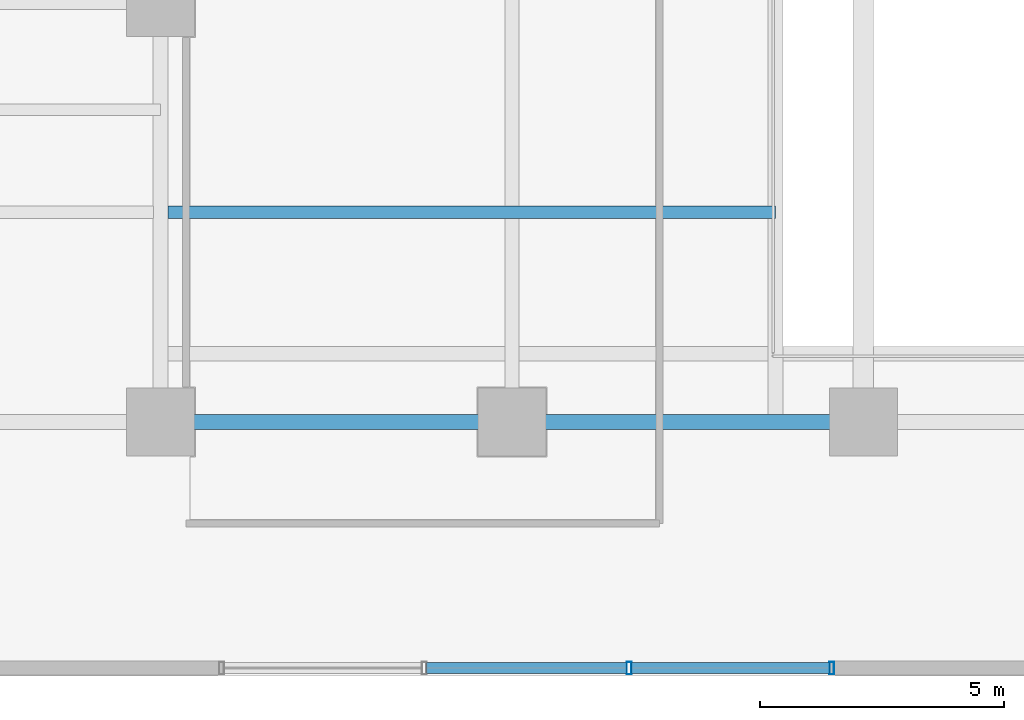
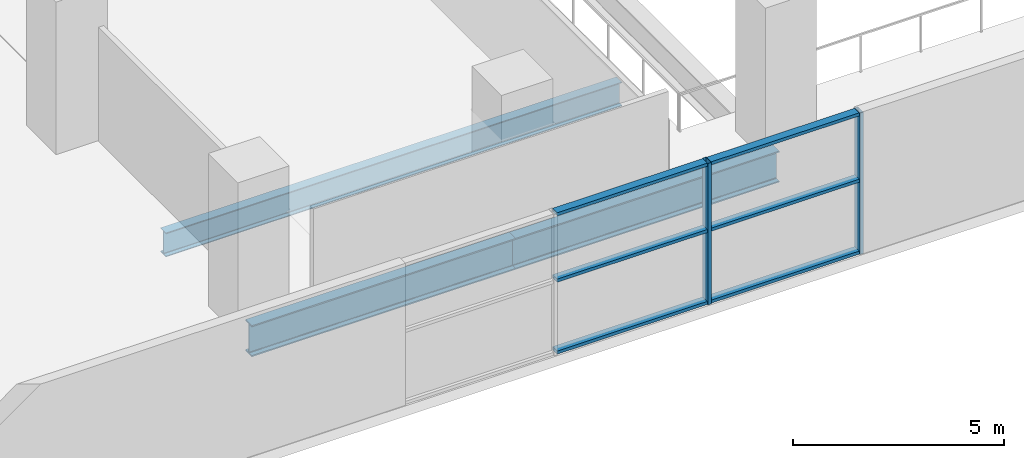
# One storey, part 3 of 21: 8 members, 3 beams, 1 element without a shape of its own.
"""IFC4 building model written with IfcOpenShell, lengths in metres."""

from ifc_helpers import new_model, si_unit, direction, frame, origin, origin_2d, place, context, subcontext, project, spatial, hollow_rectangle, i_section, extrude, source, transform, mapped, material, layer, layer_set, material_profile, profile_set, type_object, element, aggregate, save


model = new_model("IFC4")

# Units and contexts
model_context = context("Model", 3, precision=1e-05, world=origin(), true_north=direction((0.0, 1.0)))
body_context = subcontext(model_context, "Body", "Model", "MODEL_VIEW")
ifc_project = project(units=[si_unit("LENGTHUNIT", "METRE"), si_unit("AREAUNIT", "SQUARE_METRE"), si_unit("VOLUMEUNIT", "CUBIC_METRE"), si_unit("PLANEANGLEUNIT", "RADIAN"), si_unit("MASSUNIT", "GRAM", prefix="KILO")], contexts=[model_context])

# Site, building, storey
site_placement = place(None, origin())
site = spatial("IfcSite", under=ifc_project, at=site_placement, CompositionType="ELEMENT")
building_placement = place(site_placement, origin())
building = spatial("IfcBuilding", under=site, at=building_placement, Name="Zarnakvel Exchange Tower", CompositionType="ELEMENT")
storey_placement = place(building_placement, frame((0.0, 0.0, 18.199951171875)))
storey = spatial("IfcBuildingStorey", under=building, at=storey_placement, Name="L04", CompositionType="ELEMENT", Elevation=18.199951171875)

# Beams
ifc_material_1 = material(Name="Steel S355", Category="steel")
ifc_material_profile_1 = material_profile(ifc_material_1, i_section(OverallWidth=0.255859375, OverallDepth=0.69287109375, WebThickness=0.014404296875, FlangeThickness=0.023681640625, FilletRadius=0.01513671875, at=origin_2d()))
ifc_profile_set_1 = profile_set([ifc_material_profile_1], Name="Steel S355")
beam_type_1 = type_object("IfcBeamType", Name="B-01", PredefinedType="JOIST", material=ifc_profile_set_1)
beam_1_placement = place(storey_placement, frame((-21.449951171875, -13.89990234375, -0.646484375), z_axis=(1.0, 0.0, 0.0), x_axis=(0.0, 1.0, 0.0)))
element("IfcBeam", 1, at=beam_1_placement, inside=storey, type_object=beam_type_1, Name="L04 Exchange Hall Atrium Trimmer West", PredefinedType="JOIST", context=body_context, shape_type="SweptSolid", body=[
    extrude(i_section(OverallWidth=0.255859375, OverallDepth=0.69287109375, WebThickness=0.014404296875, FlangeThickness=0.023681640625, FilletRadius=0.01513671875, at=origin_2d()), origin(), (0.0, 0.0, 1.0), 12.449951171875),
])
ifc_material_profile_2 = material_profile(ifc_material_1, i_section(OverallWidth=0.300048828125, OverallDepth=0.89990234375, WebThickness=0.0185546875, FlangeThickness=0.034912109375, FilletRadius=0.030029296875, at=origin_2d()))
ifc_profile_set_2 = profile_set([ifc_material_profile_2], Name="Steel S355")
beam_type_2 = type_object("IfcBeamType", Name="G-01", PredefinedType="BEAM", material=ifc_profile_set_2)
beam_2_placement = place(storey_placement, frame((-21.60009765625, -18.199951171875, -0.75), z_axis=(1.0, 0.0, 0.0), x_axis=(0.0, 1.0, 0.0)))
element("IfcBeam", 2, at=beam_2_placement, inside=storey, type_object=beam_type_2, Name="L04 Primary E-W Girder Y=-18.2", PredefinedType="BEAM", context=body_context, shape_type="SweptSolid", body=[
    extrude(i_section(OverallWidth=0.300048828125, OverallDepth=0.89990234375, WebThickness=0.0185546875, FlangeThickness=0.034912109375, FilletRadius=0.030029296875, at=origin_2d()), origin(), (0.0, 0.0, 1.0), 7.2001953125),
])
beam_3_placement = place(storey_placement, frame((-14.39990234375, -18.199951171875, -0.75), z_axis=(1.0, 0.0, 0.0), x_axis=(0.0, 1.0, 0.0)))
element("IfcBeam", 3, at=beam_3_placement, inside=storey, type_object=beam_type_2, Name="L04 Primary E-W Girder Y=-18.2", PredefinedType="BEAM", context=body_context, shape_type="SweptSolid", body=[
    extrude(i_section(OverallWidth=0.300048828125, OverallDepth=0.89990234375, WebThickness=0.0185546875, FlangeThickness=0.034912109375, FilletRadius=0.030029296875, at=origin_2d()), origin(), (0.0, 0.0, 1.0), 7.199951171875),
])

# Curtain wall, members
ifc_material_2 = material(Name="Architectural Bronze Anodised Aluminium", Category="aluminium")
ifc_layer = layer(ifc_material_2, 0.260009765625)
ifc_layer_set = layer_set([ifc_layer], Name="Architectural Bronze Anodised Aluminium")
curtain_wall_type = type_object("IfcCurtainWallType", Name="CW-01", PredefinedType="NOTDEFINED", material=ifc_layer_set)
curtain_wall_placement = place(storey_placement, origin())
curtain_wall = element("IfcCurtainWall", 4, at=curtain_wall_placement, inside=storey, type_object=curtain_wall_type, Name="L04 Curtain Wall CW-L04-S1 (CW-01)", PredefinedType="NOTDEFINED")
ifc_material_profile_3 = material_profile(ifc_material_2, hollow_rectangle(XDim=0.219970703125, YDim=0.090087890625, WallThickness=0.0048828125, at=origin_2d()))
ifc_profile_set_3 = profile_set([ifc_material_profile_3], Name="Architectural Bronze Anodised Aluminium")
member_type_1 = type_object("IfcMemberType", Name="CWT-01", PredefinedType="USERDEFINED", material=ifc_profile_set_3)
shared_shape_1 = source(origin(), body_context, "Body", "SweptSolid", [
    extrude(hollow_rectangle(XDim=0.219970703125, YDim=0.090087890625, WallThickness=0.0048828125, at=origin_2d()), origin(), (0.0, 0.0, 1.0), 4.050048828125),
])
member_1_placement = place(storey_placement, frame((-11.949951171875, -23.239990234375, 0.045166015625), z_axis=(1.0, 0.0, 0.0), x_axis=(0.0, 1.0, 0.0)))
member_1 = element("IfcMember", 5, at=member_1_placement, type_object=member_type_1, Name="CW-01 transom 3.1", ObjectType="TRANSOM", PredefinedType="USERDEFINED", context=body_context, shape_type="MappedRepresentation", body=[
    mapped(shared_shape_1, transform((0.0, 0.0, 0.0), x_axis=(1.0, 0.0, 0.0), y_axis=(0.0, 1.0, 0.0), z_axis=(0.0, 0.0, 1.0), scale=1.0)),
])
member_2_placement = place(storey_placement, frame((-11.949951171875, -23.239990234375, 2.12158203125), z_axis=(1.0, 0.0, 0.0), x_axis=(0.0, 1.0, 0.0)))
member_2 = element("IfcMember", 6, at=member_2_placement, type_object=member_type_1, Name="CW-01 transom 3.2", ObjectType="TRANSOM", PredefinedType="USERDEFINED", context=body_context, shape_type="MappedRepresentation", body=[
    mapped(shared_shape_1, transform((0.0, 0.0, 0.0), x_axis=(1.0, 0.0, 0.0), y_axis=(0.0, 1.0, 0.0), z_axis=(0.0, 0.0, 1.0), scale=1.0)),
])
member_3_placement = place(storey_placement, frame((-11.949951171875, -23.239990234375, 4.03515625), z_axis=(1.0, 0.0, 0.0), x_axis=(0.0, 1.0, 0.0)))
member_3 = element("IfcMember", 7, at=member_3_placement, type_object=member_type_1, Name="CW-01 transom 3.3", ObjectType="TRANSOM", PredefinedType="USERDEFINED", context=body_context, shape_type="MappedRepresentation", body=[
    mapped(shared_shape_1, transform((0.0, 0.0, 0.0), x_axis=(1.0, 0.0, 0.0), y_axis=(0.0, 1.0, 0.0), z_axis=(0.0, 0.0, 1.0), scale=1.0)),
])
shared_shape_2 = source(origin(), body_context, "Body", "SweptSolid", [
    extrude(hollow_rectangle(XDim=0.219970703125, YDim=0.090087890625, WallThickness=0.0048828125, at=origin_2d()), origin(), (0.0, 0.0, 1.0), 4.099853515625),
])
member_4_placement = place(storey_placement, frame((-16.14990234375, -23.239990234375, 0.045166015625), z_axis=(1.0, 0.0, 0.0), x_axis=(0.0, 1.0, 0.0)))
member_4 = element("IfcMember", 8, at=member_4_placement, type_object=member_type_1, Name="CW-01 transom 2.1", ObjectType="TRANSOM", PredefinedType="USERDEFINED", context=body_context, shape_type="MappedRepresentation", body=[
    mapped(shared_shape_2, transform((0.0, 0.0, 0.0), x_axis=(1.0, 0.0, 0.0), y_axis=(0.0, 1.0, 0.0), z_axis=(0.0, 0.0, 1.0), scale=1.0)),
])
member_5_placement = place(storey_placement, frame((-16.14990234375, -23.239990234375, 2.12158203125), z_axis=(1.0, 0.0, 0.0), x_axis=(0.0, 1.0, 0.0)))
member_5 = element("IfcMember", 9, at=member_5_placement, type_object=member_type_1, Name="CW-01 transom 2.2", ObjectType="TRANSOM", PredefinedType="USERDEFINED", context=body_context, shape_type="MappedRepresentation", body=[
    mapped(shared_shape_2, transform((0.0, 0.0, 0.0), x_axis=(1.0, 0.0, 0.0), y_axis=(0.0, 1.0, 0.0), z_axis=(0.0, 0.0, 1.0), scale=1.0)),
])
member_6_placement = place(storey_placement, frame((-16.14990234375, -23.239990234375, 4.03515625), z_axis=(1.0, 0.0, 0.0), x_axis=(0.0, 1.0, 0.0)))
member_6 = element("IfcMember", 10, at=member_6_placement, type_object=member_type_1, Name="CW-01 transom 2.3", ObjectType="TRANSOM", PredefinedType="USERDEFINED", context=body_context, shape_type="MappedRepresentation", body=[
    mapped(shared_shape_2, transform((0.0, 0.0, 0.0), x_axis=(1.0, 0.0, 0.0), y_axis=(0.0, 1.0, 0.0), z_axis=(0.0, 0.0, 1.0), scale=1.0)),
])
ifc_material_profile_4 = material_profile(ifc_material_2, hollow_rectangle(XDim=0.260009765625, YDim=0.10009765625, WallThickness=0.006103515625, at=origin_2d()))
ifc_profile_set_4 = profile_set([ifc_material_profile_4], Name="Architectural Bronze Anodised Aluminium")
member_type_2 = type_object("IfcMemberType", Name="CWM-01", PredefinedType="MULLION", material=ifc_profile_set_4)
shared_shape_3 = source(origin(), body_context, "Body", "SweptSolid", [
    extrude(hollow_rectangle(XDim=0.260009765625, YDim=0.10009765625, WallThickness=0.006103515625, at=origin_2d()), origin(), (0.0, 0.0, 1.0), 4.080078125),
])
member_7_placement = place(storey_placement, frame((-12.0, -23.239990234375, 0.0), z_axis=(0.0, 0.0, 1.0), x_axis=(0.0, 1.0, 0.0)))
member_7 = element("IfcMember", 11, at=member_7_placement, type_object=member_type_2, Name="CW-01 mullion 3", PredefinedType="MULLION", context=body_context, shape_type="MappedRepresentation", body=[
    mapped(shared_shape_3, transform((0.0, 0.0, 0.0), x_axis=(1.0, 0.0, 0.0), y_axis=(0.0, 1.0, 0.0), z_axis=(0.0, 0.0, 1.0), scale=1.0)),
])
member_8_placement = place(storey_placement, frame((-7.85009765625, -23.239990234375, 0.0), z_axis=(0.0, 0.0, 1.0), x_axis=(0.0, 1.0, 0.0)))
member_8 = element("IfcMember", 12, at=member_8_placement, type_object=member_type_2, Name="CW-01 mullion 4", PredefinedType="MULLION", context=body_context, shape_type="MappedRepresentation", body=[
    mapped(shared_shape_3, transform((0.0, 0.0, 0.0), x_axis=(1.0, 0.0, 0.0), y_axis=(0.0, 1.0, 0.0), z_axis=(0.0, 0.0, 1.0), scale=1.0)),
])
aggregate(curtain_wall, [member_7, member_8, member_4, member_5, member_6, member_1, member_2, member_3])

save(model, "model.ifc")
